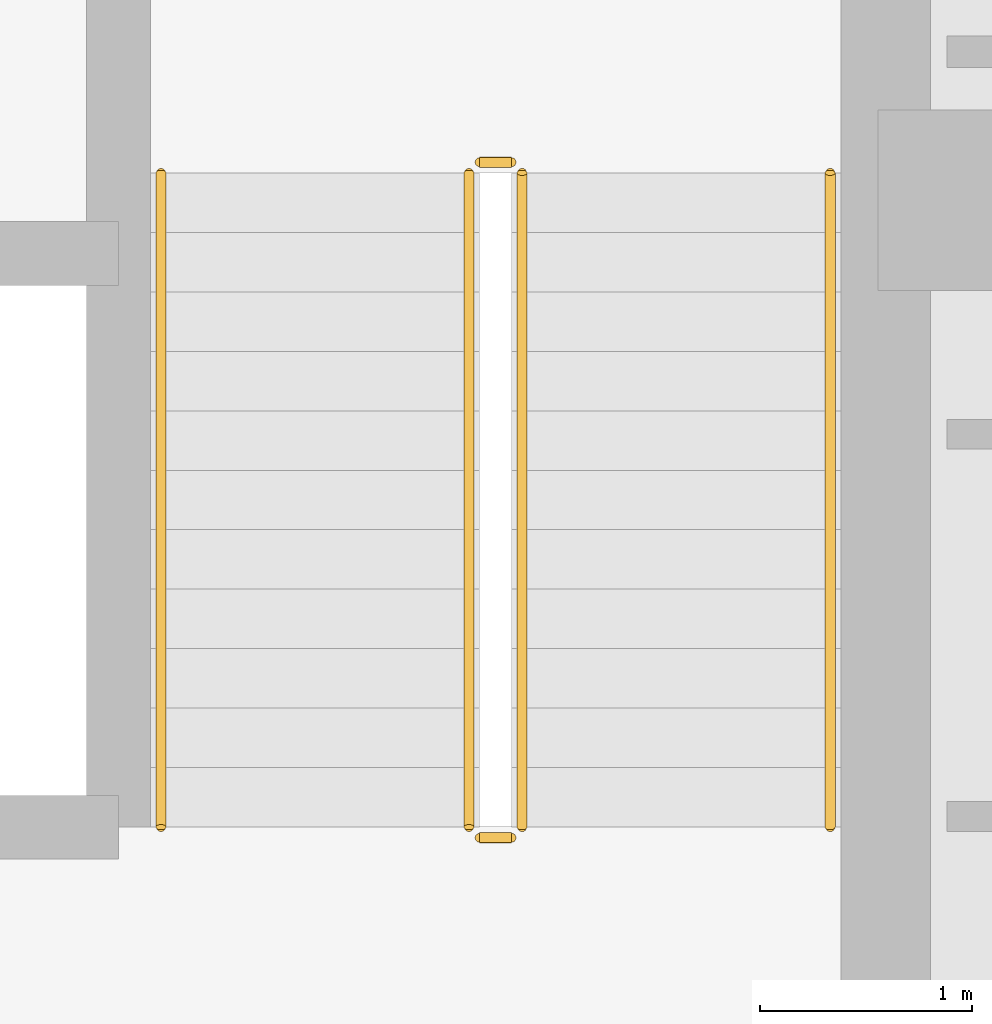
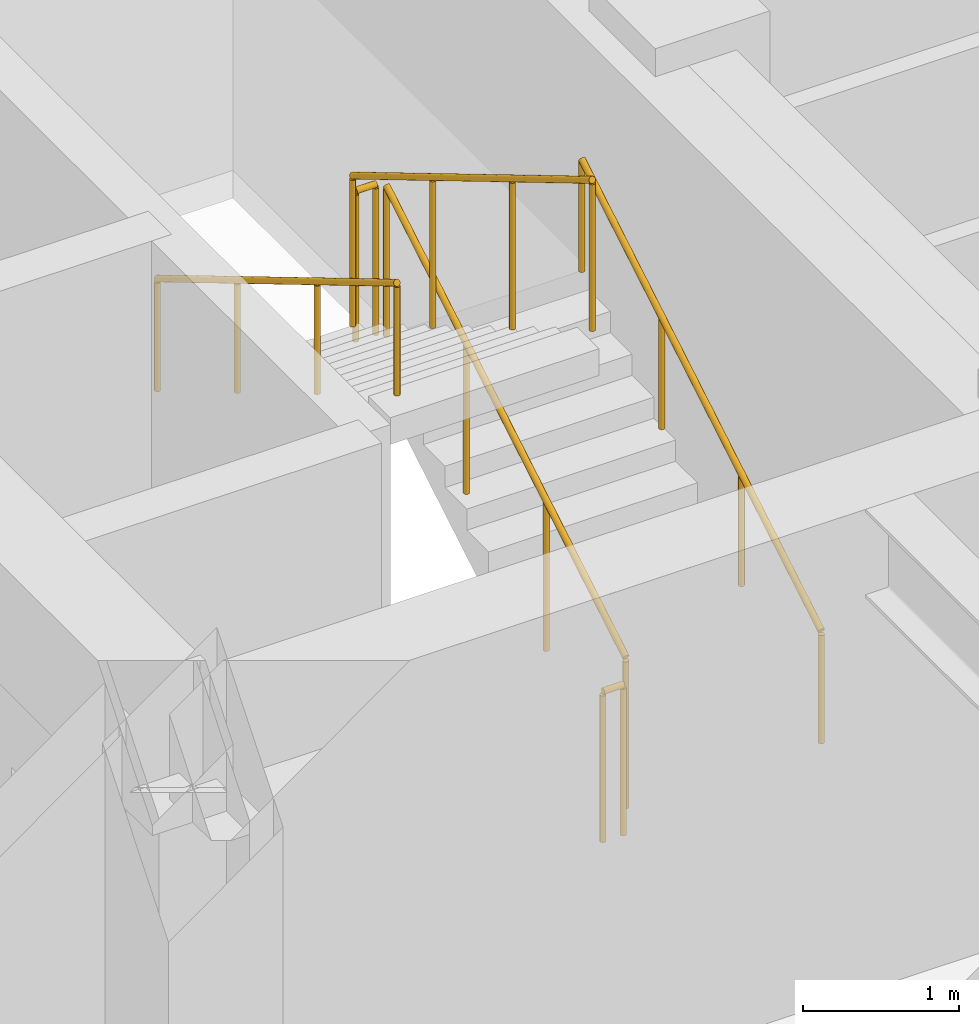
# One storey, part 26 of 29: 6 railings.
"""IFC4 building model written with IfcOpenShell, lengths in metres."""

from ifc_helpers import new_model, si_unit, direction, frame, origin, origin_2d, place, context, subcontext, project, spatial, circle, extrude, source, transform, mapped, material, type_object, element, save


model = new_model("IFC4")

# Units and contexts
model_context = context("Model", 3, precision=1e-05, world=origin(), true_north=direction((0.0, 1.0)))
body_context = subcontext(model_context, "Body", "Model", "MODEL_VIEW")
ifc_project = project(units=[si_unit("LENGTHUNIT", "METRE"), si_unit("AREAUNIT", "SQUARE_METRE"), si_unit("VOLUMEUNIT", "CUBIC_METRE"), si_unit("PLANEANGLEUNIT", "RADIAN"), si_unit("MASSUNIT", "GRAM", prefix="KILO")], contexts=[model_context])

# Site, building, storey
site_placement = place(None, origin())
site = spatial("IfcSite", under=ifc_project, at=site_placement, CompositionType="ELEMENT")
building_placement = place(site_placement, origin())
building = spatial("IfcBuilding", under=site, at=building_placement, Name="Khorayat Bourse Tower", CompositionType="ELEMENT")
storey_placement = place(building_placement, frame((0.0, 0.0, 243.10009765625)))
storey = spatial("IfcBuildingStorey", under=building, at=storey_placement, Name="L57", CompositionType="ELEMENT", Elevation=243.10009765625)

# Railings
ifc_material_1 = material(Name="Powder-coated steel balustrade", Category="steel")
railing_type_1 = type_object("IfcRailingType", Name="RLG-GUARD-1200", PredefinedType="GUARDRAIL", material=ifc_material_1)
shared_shape_1 = source(origin(), body_context, "Body", "SweptSolid", [
    extrude(circle(Radius=0.02392578125, at=origin_2d()), frame((0.0, 0.0, 1.17578125), z_axis=(-1.0, 0.0, 0.0), x_axis=(0.0, -1.0, 0.0)), (0.0, 0.0, 1.0), 0.150146484375),
    extrude(circle(Radius=0.02099609375, at=origin_2d()), origin(), (0.0, 0.0, 1.0), 1.15185546875),
    extrude(circle(Radius=0.02099609375, at=origin_2d()), frame((-0.150146484375, 0.0, 0.0)), (0.0, 0.0, 1.0), 1.15185546875),
])
for number, where, name in (
    (1, (-6.64990234375, -5.820068359375, 2.0), "L57 ST-1 stair guard 2"),
    (2, (-6.64990234375, -9.0, 0.0), "L57 ST-1 stair guard 4"),
):
    element("IfcRailing", number, at=place(storey_placement, frame(where)), inside=storey, type_object=railing_type_1, Name=name, PredefinedType="GUARDRAIL", context=body_context, shape_type="MappedRepresentation", body=[
        mapped(shared_shape_1, transform((0.0, 0.0, 0.0), scale=1.0)),
    ])
shared_shape_2 = source(origin(), body_context, "Body", "SweptSolid", [
    extrude(circle(Radius=0.02392578125, at=origin_2d()), frame((0.0, 0.0, 1.17578125), z_axis=(0.0, 0.859260807169, 0.511537745687), x_axis=(-1.0, 0.0, 0.0)), (0.0, 0.0, 1.0), 3.584228515625),
    extrude(circle(Radius=0.02099609375, at=origin_2d()), origin(), (0.0, 0.0, 1.0), 1.15185546875),
    extrude(circle(Radius=0.02099609375, at=origin_2d()), frame((0.0, 1.026611328125, 0.611083984375)), (0.0, 0.0, 1.0), 1.15185546875),
    extrude(circle(Radius=0.02099609375, at=origin_2d()), frame((0.0, 2.05322265625, 1.222412109375)), (0.0, 0.0, 1.0), 1.15185546875),
    extrude(circle(Radius=0.02099609375, at=origin_2d()), frame((0.0, 3.079833984375, 1.83349609375)), (0.0, 0.0, 1.0), 1.15185546875),
])
railing_1_placement = place(storey_placement, frame((-6.60009765625, -8.949951171875, 0.16650390625)))
element("IfcRailing", 3, at=railing_1_placement, inside=storey, type_object=railing_type_1, Name="L57 ST-1 stair guard 1", PredefinedType="GUARDRAIL", context=body_context, shape_type="MappedRepresentation", body=[
    mapped(shared_shape_2, transform((0.0, 0.0, 0.0), scale=1.0)),
])
shared_shape_3 = source(origin(), body_context, "Body", "SweptSolid", [
    extrude(circle(Radius=0.02392578125, at=origin_2d()), frame((0.0, 0.0, 1.17578125), z_axis=(0.0, -0.859260807169, 0.511537745687), x_axis=(1.0, 0.0, 0.0)), (0.0, 0.0, 1.0), 3.584228515625),
    extrude(circle(Radius=0.02099609375, at=origin_2d()), origin(), (0.0, 0.0, 1.0), 1.15185546875),
    extrude(circle(Radius=0.02099609375, at=origin_2d()), frame((0.0, -1.026611328125, 0.611083984375)), (0.0, 0.0, 1.0), 1.15185546875),
    extrude(circle(Radius=0.02099609375, at=origin_2d()), frame((0.0, -2.05322265625, 1.222412109375)), (0.0, 0.0, 1.0), 1.15185546875),
    extrude(circle(Radius=0.02099609375, at=origin_2d()), frame((0.0, -3.079833984375, 1.83349609375)), (0.0, 0.0, 1.0), 1.15185546875),
])
railing_2_placement = place(storey_placement, frame((-6.85009765625, -5.8701171875, 2.16650390625)))
element("IfcRailing", 4, at=railing_2_placement, inside=storey, type_object=railing_type_1, Name="L57 ST-1 stair guard 3", PredefinedType="GUARDRAIL", context=body_context, shape_type="MappedRepresentation", body=[
    mapped(shared_shape_3, transform((0.0, 0.0, 0.0), scale=1.0)),
])
ifc_material_2 = material(Name="Brushed bronze stainless-steel handrail", Category="steel")
railing_type_2 = type_object("IfcRailingType", Name="RLG-HAND-900", PredefinedType="HANDRAIL", material=ifc_material_2)
shared_shape_4 = source(origin(), body_context, "Body", "SweptSolid", [
    extrude(circle(Radius=0.02392578125, at=origin_2d()), frame((0.0, 0.0, 0.8759765625), z_axis=(0.0, 0.859260807169, 0.511537745687), x_axis=(-1.0, 0.0, 0.0)), (0.0, 0.0, 1.0), 3.584228515625),
    extrude(circle(Radius=0.02099609375, at=origin_2d()), origin(), (0.0, 0.0, 1.0), 0.851806640625),
    extrude(circle(Radius=0.02099609375, at=origin_2d()), frame((0.0, 1.026611328125, 0.611083984375)), (0.0, 0.0, 1.0), 0.851806640625),
    extrude(circle(Radius=0.02099609375, at=origin_2d()), frame((0.0, 2.05322265625, 1.222412109375)), (0.0, 0.0, 1.0), 0.851806640625),
    extrude(circle(Radius=0.02099609375, at=origin_2d()), frame((0.0, 3.079833984375, 1.83349609375)), (0.0, 0.0, 1.0), 0.851806640625),
])
railing_3_placement = place(storey_placement, frame((-5.14990234375, -8.949951171875, 0.16650390625)))
element("IfcRailing", 5, at=railing_3_placement, inside=storey, type_object=railing_type_2, Name="L57 ST-1 stair handrail 1", PredefinedType="HANDRAIL", context=body_context, shape_type="MappedRepresentation", body=[
    mapped(shared_shape_4, transform((0.0, 0.0, 0.0), scale=1.0)),
])
shared_shape_5 = source(origin(), body_context, "Body", "SweptSolid", [
    extrude(circle(Radius=0.02392578125, at=origin_2d()), frame((0.0, 0.0, 0.8759765625), z_axis=(0.0, -0.859260807169, 0.511537745687), x_axis=(1.0, 0.0, 0.0)), (0.0, 0.0, 1.0), 3.584228515625),
    extrude(circle(Radius=0.02099609375, at=origin_2d()), origin(), (0.0, 0.0, 1.0), 0.851806640625),
    extrude(circle(Radius=0.02099609375, at=origin_2d()), frame((0.0, -1.026611328125, 0.611083984375)), (0.0, 0.0, 1.0), 0.851806640625),
    extrude(circle(Radius=0.02099609375, at=origin_2d()), frame((0.0, -2.05322265625, 1.222412109375)), (0.0, 0.0, 1.0), 0.851806640625),
    extrude(circle(Radius=0.02099609375, at=origin_2d()), frame((0.0, -3.079833984375, 1.83349609375)), (0.0, 0.0, 1.0), 0.851806640625),
])
railing_4_placement = place(storey_placement, frame((-8.300048828125, -5.8701171875, 2.16650390625)))
element("IfcRailing", 6, at=railing_4_placement, inside=storey, type_object=railing_type_2, Name="L57 ST-1 stair handrail 2", PredefinedType="HANDRAIL", context=body_context, shape_type="MappedRepresentation", body=[
    mapped(shared_shape_5, transform((0.0, 0.0, 0.0), scale=1.0)),
])

save(model, "model.ifc")
